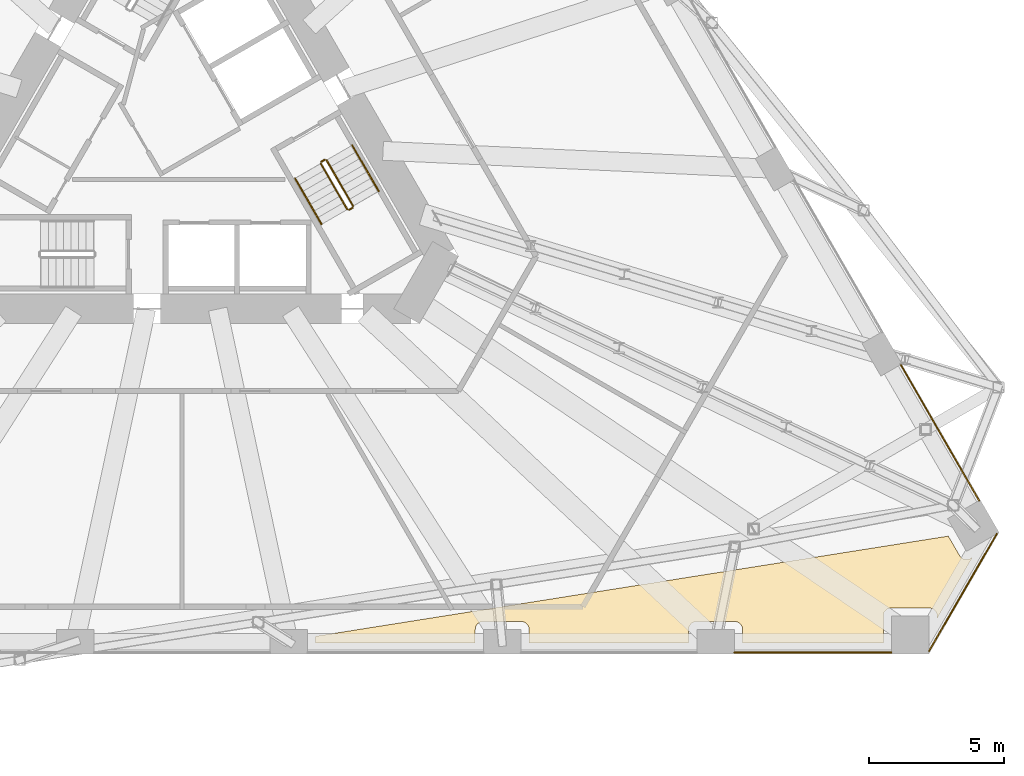
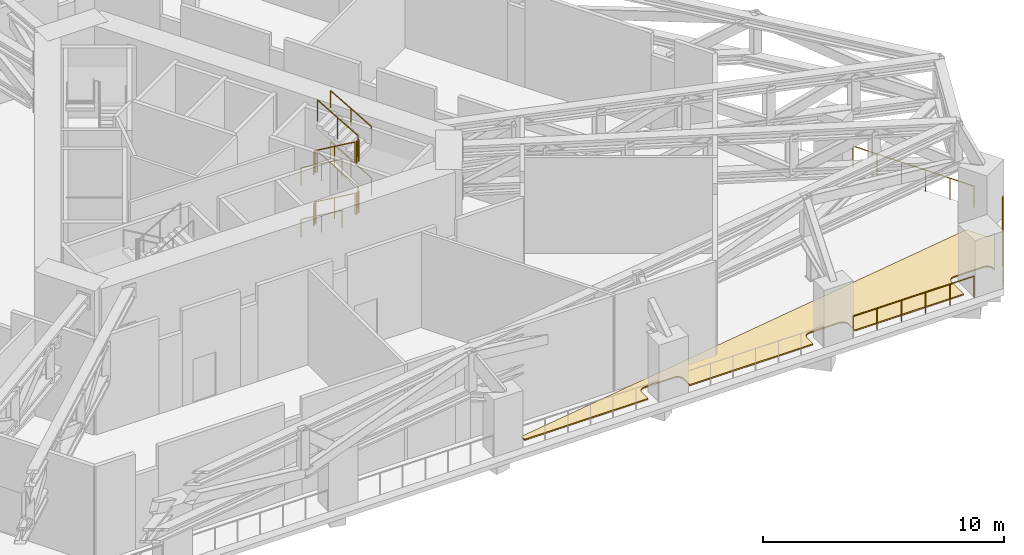
# One storey, part 19 of 20: 15 railings, 2 coverings.
"""IFC4 building model written with IfcOpenShell, lengths in metres."""

from ifc_helpers import new_model, si_unit, direction, frame, origin, origin_2d, place, context, subcontext, project, spatial, polyline, circle, outline, extrude, material, layer, layer_set, type_object, element, save


model = new_model("IFC4")

# Units and contexts
model_context = context("Model", 3, precision=1e-05, world=origin(), true_north=direction((0.0, 1.0)))
body_context = subcontext(model_context, "Body", "Model", "MODEL_VIEW")
ifc_project = project(units=[si_unit("LENGTHUNIT", "METRE"), si_unit("AREAUNIT", "SQUARE_METRE"), si_unit("VOLUMEUNIT", "CUBIC_METRE"), si_unit("PLANEANGLEUNIT", "RADIAN"), si_unit("MASSUNIT", "GRAM", prefix="KILO")], contexts=[model_context])

# Site, building, storey
site_placement = place(None, origin())
site = spatial("IfcSite", under=ifc_project, at=site_placement, CompositionType="ELEMENT")
building_placement = place(site_placement, origin())
building = spatial("IfcBuilding", under=site, at=building_placement, Name="Tramontana Tower", CompositionType="ELEMENT")
storey_placement = place(building_placement, frame((0.0, 0.0, 46.0)))
storey = spatial("IfcBuildingStorey", under=building, at=storey_placement, Name="L09", CompositionType="ELEMENT", Elevation=46.0)

# Railings
ifc_material_1 = material(Name="Stainless steel rail and posts", Category="steel")
railing_type_1 = type_object("IfcRailingType", Name="GD2 Terrace guard 1100", PredefinedType="GUARDRAIL", material=ifc_material_1)
railing_1_placement = place(storey_placement, frame((20.494873046875, -18.949951171875, 0.0)))
element("IfcRailing", 1, at=railing_1_placement, inside=storey, type_object=railing_type_1, Name="Edge guard L09 21", PredefinedType="GUARDRAIL", context=body_context, shape_type="SweptSolid", body=[
    extrude(circle(Radius=0.02392578125, at=origin_2d()), frame((0.0, 0.0, 1.076171875), z_axis=(1.0, 0.0, 0.0), x_axis=(0.0, 1.0, 0.0)), (0.0, 0.0, 1.0), 5.81787109375),
    extrude(circle(Radius=0.02099609375, at=origin_2d()), origin(), (0.0, 0.0, 1.0), 1.052001953125),
    extrude(circle(Radius=0.02099609375, at=origin_2d()), frame((1.16357421875, 0.0, 0.0)), (0.0, 0.0, 1.0), 1.052001953125),
    extrude(circle(Radius=0.02099609375, at=origin_2d()), frame((2.3271484375, 0.0, 0.0)), (0.0, 0.0, 1.0), 1.052001953125),
    extrude(circle(Radius=0.02099609375, at=origin_2d()), frame((3.49072265625, 0.0, 0.0)), (0.0, 0.0, 1.0), 1.052001953125),
    extrude(circle(Radius=0.02099609375, at=origin_2d()), frame((4.654296875, 0.0, 0.0)), (0.0, 0.0, 1.0), 1.052001953125),
    extrude(circle(Radius=0.02099609375, at=origin_2d()), frame((5.81787109375, 0.0, 0.0)), (0.0, 0.0, 1.0), 1.052001953125),
])
railing_2_placement = place(storey_placement, frame((29.567626953125, -13.3125, 0.0)))
element("IfcRailing", 2, at=railing_2_placement, inside=storey, type_object=railing_type_1, Name="Edge guard L09 23", PredefinedType="GUARDRAIL", context=body_context, shape_type="SweptSolid", body=[
    extrude(circle(Radius=0.02392578125, at=origin_2d()), frame((0.0, 0.0, 1.076171875), z_axis=(-0.500007002644, 0.866021360769, 0.0), x_axis=(-0.866021360769, -0.500007002644, 0.0)), (0.0, 0.0, 1.0), 5.81787109375),
    extrude(circle(Radius=0.02099609375, at=origin_2d()), origin(), (0.0, 0.0, 1.0), 1.052001953125),
    extrude(circle(Radius=0.02099609375, at=origin_2d()), frame((-0.581787109375, 1.007568359375, 0.0)), (0.0, 0.0, 1.0), 1.052001953125),
    extrude(circle(Radius=0.02099609375, at=origin_2d()), frame((-1.16357421875, 2.015380859375, 0.0)), (0.0, 0.0, 1.0), 1.052001953125),
    extrude(circle(Radius=0.02099609375, at=origin_2d()), frame((-1.745361328125, 3.02294921875, 0.0)), (0.0, 0.0, 1.0), 1.052001953125),
    extrude(circle(Radius=0.02099609375, at=origin_2d()), frame((-2.3271484375, 4.03076171875, 0.0)), (0.0, 0.0, 1.0), 1.052001953125),
    extrude(circle(Radius=0.02099609375, at=origin_2d()), frame((-2.908935546875, 5.038330078125, 0.0)), (0.0, 0.0, 1.0), 1.052001953125),
])
railing_3_placement = place(storey_placement, frame((27.712890625, -18.89990234375, 0.0)))
element("IfcRailing", 3, at=railing_3_placement, inside=storey, type_object=railing_type_1, Name="Edge guard L09 24", PredefinedType="GUARDRAIL", context=body_context, shape_type="SweptSolid", body=[
    extrude(circle(Radius=0.02392578125, at=origin_2d()), frame((0.0, 0.0, 1.076171875), z_axis=(0.500012768347, 0.86601803185, 0.0), x_axis=(-0.86601803185, 0.500012768347, 0.0)), (0.0, 0.0, 1.0), 5.022705078125),
    extrude(circle(Radius=0.02099609375, at=origin_2d()), origin(), (0.0, 0.0, 1.0), 1.052001953125),
    extrude(circle(Radius=0.02099609375, at=origin_2d()), frame((0.502197265625, 0.869873046875, 0.0)), (0.0, 0.0, 1.0), 1.052001953125),
    extrude(circle(Radius=0.02099609375, at=origin_2d()), frame((1.004638671875, 1.739990234375, 0.0)), (0.0, 0.0, 1.0), 1.052001953125),
    extrude(circle(Radius=0.02099609375, at=origin_2d()), frame((1.5068359375, 2.60986328125, 0.0)), (0.0, 0.0, 1.0), 1.052001953125),
    extrude(circle(Radius=0.02099609375, at=origin_2d()), frame((2.00927734375, 3.47998046875, 0.0)), (0.0, 0.0, 1.0), 1.052001953125),
    extrude(circle(Radius=0.02099609375, at=origin_2d()), frame((2.511474609375, 4.349853515625, 0.0)), (0.0, 0.0, 1.0), 1.052001953125),
])

# Covering
ifc_material_2 = material(Name="Limestone paving 60", Category="masonry")
ifc_layer_1 = layer(ifc_material_2, 0.06005859375)
ifc_layer_set_1 = layer_set([ifc_layer_1], Name="PV1 Terrace paving 60")
covering_type_1 = type_object("IfcCoveringType", Name="PV1 Terrace paving 60", PredefinedType="FLOORING", material=ifc_layer_set_1)
covering_1_placement = place(storey_placement, frame((0.0, 0.0, 0.010009765625)))
element("IfcCovering", 4, at=covering_1_placement, inside=storey, type_object=covering_type_1, Name="Terrace paving L09 3", PredefinedType="FLOORING", context=body_context, shape_type="SweptSolid", body=[
    extrude(outline(polyline([(28.0126953125, -17.680419921875), (28.0126953125, -17.60009765625), (28.011474609375, -17.570556640625), (28.007080078125, -17.54150390625), (28.0, -17.512939453125), (27.989990234375, -17.485107421875), (27.977294921875, -17.45849609375), (27.962158203125, -17.433349609375), (27.94482421875, -17.40966796875), (27.925048828125, -17.387939453125), (27.903076171875, -17.3681640625), (27.87939453125, -17.3505859375), (27.854248046875, -17.33544921875), (27.82763671875, -17.32275390625), (27.7998046875, -17.31298828125), (27.771240234375, -17.3056640625), (27.7421875, -17.301513671875), (27.712890625, -17.300048828125), (26.312744140625, -17.300048828125), (26.283447265625, -17.301513671875), (26.25439453125, -17.3056640625), (26.225830078125, -17.31298828125), (26.197998046875, -17.32275390625), (26.17138671875, -17.33544921875), (26.146240234375, -17.3505859375), (26.12255859375, -17.3681640625), (26.1005859375, -17.387939453125), (26.080810546875, -17.40966796875), (26.0634765625, -17.433349609375), (26.04833984375, -17.45849609375), (26.03564453125, -17.485107421875), (26.025634765625, -17.512939453125), (26.0185546875, -17.54150390625), (26.01416015625, -17.570556640625), (26.0126953125, -17.60009765625), (26.0126953125, -18.60009765625), (20.794921875, -18.60009765625), (20.794921875, -18.10009765625), (20.79345703125, -18.070556640625), (20.7890625, -18.04150390625), (20.781982421875, -18.012939453125), (20.77197265625, -17.985107421875), (20.759521484375, -17.95849609375), (20.744384765625, -17.933349609375), (20.726806640625, -17.90966796875), (20.70703125, -17.887939453125), (20.685302734375, -17.8681640625), (20.66162109375, -17.8505859375), (20.63623046875, -17.83544921875), (20.609619140625, -17.82275390625), (20.58203125, -17.81298828125), (20.553466796875, -17.8056640625), (20.524169921875, -17.801513671875), (20.494873046875, -17.800048828125), (19.094970703125, -17.800048828125), (19.0654296875, -17.801513671875), (19.036376953125, -17.8056640625), (19.0078125, -17.81298828125), (18.97998046875, -17.82275390625), (18.953369140625, -17.83544921875), (18.92822265625, -17.8505859375), (18.904541015625, -17.8681640625), (18.8828125, -17.887939453125), (18.863037109375, -17.90966796875), (18.845458984375, -17.933349609375), (18.830322265625, -17.95849609375), (18.817626953125, -17.985107421875), (18.807861328125, -18.012939453125), (18.800537109375, -18.04150390625), (18.79638671875, -18.070556640625), (18.794921875, -18.10009765625), (18.794921875, -18.60009765625), (12.876953125, -18.60009765625), (12.876953125, -18.10009765625), (12.87548828125, -18.070556640625), (12.87109375, -18.04150390625), (12.864013671875, -18.012939453125), (12.85400390625, -17.985107421875), (12.841552734375, -17.95849609375), (12.826416015625, -17.933349609375), (12.808837890625, -17.90966796875), (12.7890625, -17.887939453125), (12.767333984375, -17.8681640625), (12.74365234375, -17.8505859375), (12.71826171875, -17.83544921875), (12.691650390625, -17.82275390625), (12.6640625, -17.81298828125), (12.635498046875, -17.8056640625), (12.6064453125, -17.801513671875), (12.576904296875, -17.800048828125), (11.177001953125, -17.800048828125), (11.1474609375, -17.801513671875), (11.118408203125, -17.8056640625), (11.08984375, -17.81298828125), (11.06201171875, -17.82275390625), (11.035400390625, -17.83544921875), (11.01025390625, -17.8505859375), (10.986572265625, -17.8681640625), (10.96484375, -17.887939453125), (10.945068359375, -17.90966796875), (10.927490234375, -17.933349609375), (10.912353515625, -17.95849609375), (10.899658203125, -17.985107421875), (10.889892578125, -18.012939453125), (10.882568359375, -18.04150390625), (10.87841796875, -18.070556640625), (10.876953125, -18.10009765625), (10.876953125, -18.60009765625), (4.958984375, -18.60009765625), (4.958984375, -18.35009765625), (28.425048828125, -14.633544921875), (28.838623046875, -15.35009765625), (28.8544921875, -15.374755859375), (28.872802734375, -15.397705078125), (28.893310546875, -15.4189453125), (28.915771484375, -15.43798828125), (28.93994140625, -15.454833984375), (28.9658203125, -15.468994140625), (28.99267578125, -15.480712890625), (29.020751953125, -15.48974609375), (29.049560546875, -15.49609375), (29.078857421875, -15.499267578125), (29.108154296875, -15.499755859375), (29.1376953125, -15.497314453125), (29.16650390625, -15.4921875), (29.19482421875, -15.484130859375), (29.22216796875, -15.47314453125), (29.24853515625, -15.459716796875), (29.318115234375, -15.419677734375), (28.0126953125, -17.680419921875)])), origin(), (0.0, 0.0, 1.0), 0.06005859375),
])

# Railings
ifc_material_3 = material(Name="Painted steel", Category="steel")
railing_type_2 = type_object("IfcRailingType", Name="STAIR GUARD 1100", PredefinedType="GUARDRAIL", material=ifc_material_3)
railing_4_placement = place(storey_placement, frame((5.1474609375, -0.815673828125, 0.16259765625)))
element("IfcRailing", 5, at=railing_4_placement, inside=storey, type_object=railing_type_2, Name="L09 ST3 stair guard 1", PredefinedType="GUARDRAIL", context=body_context, shape_type="SweptSolid", body=[
    extrude(circle(Radius=0.02392578125, at=origin_2d()), frame((0.0, 0.0, 1.076171875), z_axis=(0.432466826973, -0.749005824891, 0.501958880634), x_axis=(0.866011328839, 0.500024377727, 0.0)), (0.0, 0.0, 1.0), 2.26611328125),
    extrude(circle(Radius=0.02099609375, at=origin_2d()), origin(), (0.0, 0.0, 1.0), 1.052001953125),
    extrude(circle(Radius=0.02099609375, at=origin_2d()), frame((0.489990234375, -0.8486328125, 0.56884765625)), (0.0, 0.0, 1.0), 1.052001953125),
    extrude(circle(Radius=0.02099609375, at=origin_2d()), frame((0.97998046875, -1.697265625, 1.137451171875)), (0.0, 0.0, 1.0), 1.052001953125),
])
railing_5_placement = place(storey_placement, frame((6.343994140625, -2.387939453125, 1.46240234375)))
element("IfcRailing", 6, at=railing_5_placement, inside=storey, type_object=railing_type_2, Name="L09 ST3 stair guard 2", PredefinedType="GUARDRAIL", context=body_context, shape_type="SweptSolid", body=[
    extrude(circle(Radius=0.02392578125, at=origin_2d()), frame((0.0, 0.0, 1.076171875), z_axis=(-0.432443438183, 0.748965316953, 0.502039467347), x_axis=(-0.866011328839, -0.500024377727, 0.0)), (0.0, 0.0, 1.0), 2.26611328125),
    extrude(circle(Radius=0.02099609375, at=origin_2d()), origin(), (0.0, 0.0, 1.0), 1.052001953125),
    extrude(circle(Radius=0.02099609375, at=origin_2d()), frame((-0.489990234375, 0.8486328125, 0.56884765625)), (0.0, 0.0, 1.0), 1.052001953125),
    extrude(circle(Radius=0.02099609375, at=origin_2d()), frame((-0.97998046875, 1.697265625, 1.1376953125)), (0.0, 0.0, 1.0), 1.052001953125),
])
railing_6_placement = place(storey_placement, frame((5.1474609375, -0.815673828125, 2.762451171875)))
element("IfcRailing", 7, at=railing_6_placement, inside=storey, type_object=railing_type_2, Name="L09 ST3 stair guard 3", PredefinedType="GUARDRAIL", context=body_context, shape_type="SweptSolid", body=[
    extrude(circle(Radius=0.02392578125, at=origin_2d()), frame((0.0, 0.0, 1.076171875), z_axis=(0.432466826973, -0.749005824891, 0.501958880634), x_axis=(0.866011328839, 0.500024377727, 0.0)), (0.0, 0.0, 1.0), 2.26611328125),
    extrude(circle(Radius=0.02099609375, at=origin_2d()), origin(), (0.0, 0.0, 1.0), 1.052001953125),
    extrude(circle(Radius=0.02099609375, at=origin_2d()), frame((0.489990234375, -0.8486328125, 0.56884765625)), (0.0, 0.0, 1.0), 1.052001953125),
    extrude(circle(Radius=0.02099609375, at=origin_2d()), frame((0.97998046875, -1.697265625, 1.137451171875)), (0.0, 0.0, 1.0), 1.052001953125),
])
railing_7_placement = place(storey_placement, frame((6.343994140625, -2.387939453125, 4.0625)))
element("IfcRailing", 8, at=railing_7_placement, inside=storey, type_object=railing_type_2, Name="L09 ST3 stair guard 4", PredefinedType="GUARDRAIL", context=body_context, shape_type="SweptSolid", body=[
    extrude(circle(Radius=0.02392578125, at=origin_2d()), frame((0.0, 0.0, 1.076171875), z_axis=(-0.432466826973, 0.749005824891, 0.501958880634), x_axis=(-0.866011328839, -0.500024377727, 0.0)), (0.0, 0.0, 1.0), 2.26611328125),
    extrude(circle(Radius=0.02099609375, at=origin_2d()), origin(), (0.0, 0.0, 1.0), 1.052001953125),
    extrude(circle(Radius=0.02099609375, at=origin_2d()), frame((-0.489990234375, 0.8486328125, 0.56884765625)), (0.0, 0.0, 1.0), 1.052001953125),
    extrude(circle(Radius=0.02099609375, at=origin_2d()), frame((-0.97998046875, 1.697265625, 1.137451171875)), (0.0, 0.0, 1.0), 1.052001953125),
])
for number, where, name in (
    (9, (6.19580078125, -2.53125, 1.300048828125), "L09 ST3 stair guard 5"),
    (10, (5.165771484375, -0.747314453125, 2.60009765625), "L09 ST3 stair guard 6"),
    (11, (6.19580078125, -2.53125, 3.89990234375), "L09 ST3 stair guard 7"),
    (12, (5.165771484375, -0.747314453125, 0.0), "L09 ST3 stair guard 8"),
):
    element("IfcRailing", number, at=place(storey_placement, frame(where)), inside=storey, type_object=railing_type_2, Name=name, PredefinedType="GUARDRAIL", context=body_context, shape_type="SweptSolid", body=[
        extrude(circle(Radius=0.02392578125, at=origin_2d()), frame((0.0, 0.0, 1.076171875), z_axis=(0.866131372301, 0.499816412211, 0.0), x_axis=(-0.499816412211, 0.866131372301, 0.0)), (0.0, 0.0, 1.0), 0.14990234375),
        extrude(circle(Radius=0.02099609375, at=origin_2d()), origin(), (0.0, 0.0, 1.0), 1.052001953125),
        extrude(circle(Radius=0.02099609375, at=origin_2d()), frame((0.1298828125, 0.074951171875, 0.0)), (0.0, 0.0, 1.0), 1.052001953125),
    ])
ifc_material_4 = material(Name="Painted steel", Category="steel")
railing_type_3 = type_object("IfcRailingType", Name="STAIR HANDRAIL 900", PredefinedType="HANDRAIL", material=ifc_material_4)
railing_8_placement = place(storey_placement, frame((4.19482421875, -1.365478515625, 0.16259765625)))
element("IfcRailing", 13, at=railing_8_placement, inside=storey, type_object=railing_type_3, Name="L09 ST3 stair handrail 1", PredefinedType="HANDRAIL", context=body_context, shape_type="SweptSolid", body=[
    extrude(circle(Radius=0.02392578125, at=origin_2d()), frame((0.0, 0.0, 0.8759765625), z_axis=(0.432431929651, -0.749053115811, 0.501918375746), x_axis=(0.866042469362, 0.499970440388, 0.0)), (0.0, 0.0, 1.0), 2.26611328125),
    extrude(circle(Radius=0.02099609375, at=origin_2d()), origin(), (0.0, 0.0, 1.0), 0.851806640625),
    extrude(circle(Radius=0.02099609375, at=origin_2d()), frame((0.489990234375, -0.8486328125, 0.56884765625)), (0.0, 0.0, 1.0), 0.851806640625),
    extrude(circle(Radius=0.02099609375, at=origin_2d()), frame((0.97998046875, -1.697509765625, 1.137451171875)), (0.0, 0.0, 1.0), 0.851806640625),
])
railing_9_placement = place(storey_placement, frame((7.296630859375, -1.837890625, 1.46240234375)))
element("IfcRailing", 14, at=railing_9_placement, inside=storey, type_object=railing_type_3, Name="L09 ST3 stair handrail 2", PredefinedType="HANDRAIL", context=body_context, shape_type="SweptSolid", body=[
    extrude(circle(Radius=0.02392578125, at=origin_2d()), frame((0.0, 0.0, 0.8759765625), z_axis=(-0.432443438183, 0.748965316953, 0.502039467347), x_axis=(-0.866011328839, -0.500024377727, 0.0)), (0.0, 0.0, 1.0), 2.26611328125),
    extrude(circle(Radius=0.02099609375, at=origin_2d()), origin(), (0.0, 0.0, 1.0), 0.851806640625),
    extrude(circle(Radius=0.02099609375, at=origin_2d()), frame((-0.489990234375, 0.8486328125, 0.56884765625)), (0.0, 0.0, 1.0), 0.851806640625),
    extrude(circle(Radius=0.02099609375, at=origin_2d()), frame((-0.97998046875, 1.697265625, 1.1376953125)), (0.0, 0.0, 1.0), 0.851806640625),
])
railing_10_placement = place(storey_placement, frame((4.19482421875, -1.365478515625, 2.762451171875)))
element("IfcRailing", 15, at=railing_10_placement, inside=storey, type_object=railing_type_3, Name="L09 ST3 stair handrail 3", PredefinedType="HANDRAIL", context=body_context, shape_type="SweptSolid", body=[
    extrude(circle(Radius=0.02392578125, at=origin_2d()), frame((0.0, 0.0, 0.8759765625), z_axis=(0.432431929651, -0.749053115811, 0.501918375746), x_axis=(0.866042469362, 0.499970440388, 0.0)), (0.0, 0.0, 1.0), 2.26611328125),
    extrude(circle(Radius=0.02099609375, at=origin_2d()), origin(), (0.0, 0.0, 1.0), 0.851806640625),
    extrude(circle(Radius=0.02099609375, at=origin_2d()), frame((0.489990234375, -0.8486328125, 0.56884765625)), (0.0, 0.0, 1.0), 0.851806640625),
    extrude(circle(Radius=0.02099609375, at=origin_2d()), frame((0.97998046875, -1.697509765625, 1.137451171875)), (0.0, 0.0, 1.0), 0.851806640625),
])
railing_11_placement = place(storey_placement, frame((7.296630859375, -1.837890625, 4.0625)))
element("IfcRailing", 16, at=railing_11_placement, inside=storey, type_object=railing_type_3, Name="L09 ST3 stair handrail 4", PredefinedType="HANDRAIL", context=body_context, shape_type="SweptSolid", body=[
    extrude(circle(Radius=0.02392578125, at=origin_2d()), frame((0.0, 0.0, 0.8759765625), z_axis=(-0.432466826973, 0.749005824891, 0.501958880634), x_axis=(-0.866011328839, -0.500024377727, 0.0)), (0.0, 0.0, 1.0), 2.26611328125),
    extrude(circle(Radius=0.02099609375, at=origin_2d()), origin(), (0.0, 0.0, 1.0), 0.851806640625),
    extrude(circle(Radius=0.02099609375, at=origin_2d()), frame((-0.489990234375, 0.8486328125, 0.56884765625)), (0.0, 0.0, 1.0), 0.851806640625),
    extrude(circle(Radius=0.02099609375, at=origin_2d()), frame((-0.97998046875, 1.697265625, 1.137451171875)), (0.0, 0.0, 1.0), 0.851806640625),
])

# Covering
ifc_material_5 = material(Name="Bituminous waterproofing membrane")
ifc_layer_2 = layer(ifc_material_5, 0.010009765625)
ifc_layer_set_2 = layer_set([ifc_layer_2], Name="WP1 Terrace waterproofing membrane 10")
covering_type_2 = type_object("IfcCoveringType", Name="WP1 Terrace waterproofing membrane 10", PredefinedType="MEMBRANE", material=ifc_layer_set_2)
covering_2_placement = place(storey_placement, origin())
element("IfcCovering", 17, at=covering_2_placement, inside=storey, type_object=covering_type_2, Name="Terrace membrane L09 3", PredefinedType="MEMBRANE", context=body_context, shape_type="SweptSolid", body=[
    extrude(outline(polyline([(28.0126953125, -17.680419921875), (28.0126953125, -17.60009765625), (28.011474609375, -17.570556640625), (28.007080078125, -17.54150390625), (28.0, -17.512939453125), (27.989990234375, -17.485107421875), (27.977294921875, -17.45849609375), (27.962158203125, -17.433349609375), (27.94482421875, -17.40966796875), (27.925048828125, -17.387939453125), (27.903076171875, -17.3681640625), (27.87939453125, -17.3505859375), (27.854248046875, -17.33544921875), (27.82763671875, -17.32275390625), (27.7998046875, -17.31298828125), (27.771240234375, -17.3056640625), (27.7421875, -17.301513671875), (27.712890625, -17.300048828125), (26.312744140625, -17.300048828125), (26.283447265625, -17.301513671875), (26.25439453125, -17.3056640625), (26.225830078125, -17.31298828125), (26.197998046875, -17.32275390625), (26.17138671875, -17.33544921875), (26.146240234375, -17.3505859375), (26.12255859375, -17.3681640625), (26.1005859375, -17.387939453125), (26.080810546875, -17.40966796875), (26.0634765625, -17.433349609375), (26.04833984375, -17.45849609375), (26.03564453125, -17.485107421875), (26.025634765625, -17.512939453125), (26.0185546875, -17.54150390625), (26.01416015625, -17.570556640625), (26.0126953125, -17.60009765625), (26.0126953125, -18.60009765625), (20.794921875, -18.60009765625), (20.794921875, -18.10009765625), (20.79345703125, -18.070556640625), (20.7890625, -18.04150390625), (20.781982421875, -18.012939453125), (20.77197265625, -17.985107421875), (20.759521484375, -17.95849609375), (20.744384765625, -17.933349609375), (20.726806640625, -17.90966796875), (20.70703125, -17.887939453125), (20.685302734375, -17.8681640625), (20.66162109375, -17.8505859375), (20.63623046875, -17.83544921875), (20.609619140625, -17.82275390625), (20.58203125, -17.81298828125), (20.553466796875, -17.8056640625), (20.524169921875, -17.801513671875), (20.494873046875, -17.800048828125), (19.094970703125, -17.800048828125), (19.0654296875, -17.801513671875), (19.036376953125, -17.8056640625), (19.0078125, -17.81298828125), (18.97998046875, -17.82275390625), (18.953369140625, -17.83544921875), (18.92822265625, -17.8505859375), (18.904541015625, -17.8681640625), (18.8828125, -17.887939453125), (18.863037109375, -17.90966796875), (18.845458984375, -17.933349609375), (18.830322265625, -17.95849609375), (18.817626953125, -17.985107421875), (18.807861328125, -18.012939453125), (18.800537109375, -18.04150390625), (18.79638671875, -18.070556640625), (18.794921875, -18.10009765625), (18.794921875, -18.60009765625), (12.876953125, -18.60009765625), (12.876953125, -18.10009765625), (12.87548828125, -18.070556640625), (12.87109375, -18.04150390625), (12.864013671875, -18.012939453125), (12.85400390625, -17.985107421875), (12.841552734375, -17.95849609375), (12.826416015625, -17.933349609375), (12.808837890625, -17.90966796875), (12.7890625, -17.887939453125), (12.767333984375, -17.8681640625), (12.74365234375, -17.8505859375), (12.71826171875, -17.83544921875), (12.691650390625, -17.82275390625), (12.6640625, -17.81298828125), (12.635498046875, -17.8056640625), (12.6064453125, -17.801513671875), (12.576904296875, -17.800048828125), (11.177001953125, -17.800048828125), (11.1474609375, -17.801513671875), (11.118408203125, -17.8056640625), (11.08984375, -17.81298828125), (11.06201171875, -17.82275390625), (11.035400390625, -17.83544921875), (11.01025390625, -17.8505859375), (10.986572265625, -17.8681640625), (10.96484375, -17.887939453125), (10.945068359375, -17.90966796875), (10.927490234375, -17.933349609375), (10.912353515625, -17.95849609375), (10.899658203125, -17.985107421875), (10.889892578125, -18.012939453125), (10.882568359375, -18.04150390625), (10.87841796875, -18.070556640625), (10.876953125, -18.10009765625), (10.876953125, -18.60009765625), (4.958984375, -18.60009765625), (4.958984375, -18.35009765625), (28.425048828125, -14.633544921875), (28.838623046875, -15.35009765625), (28.8544921875, -15.374755859375), (28.872802734375, -15.397705078125), (28.893310546875, -15.4189453125), (28.915771484375, -15.43798828125), (28.93994140625, -15.454833984375), (28.9658203125, -15.468994140625), (28.99267578125, -15.480712890625), (29.020751953125, -15.48974609375), (29.049560546875, -15.49609375), (29.078857421875, -15.499267578125), (29.108154296875, -15.499755859375), (29.1376953125, -15.497314453125), (29.16650390625, -15.4921875), (29.19482421875, -15.484130859375), (29.22216796875, -15.47314453125), (29.24853515625, -15.459716796875), (29.318115234375, -15.419677734375), (28.0126953125, -17.680419921875)])), origin(), (0.0, 0.0, 1.0), 0.010009765625),
])

save(model, "model.ifc")
